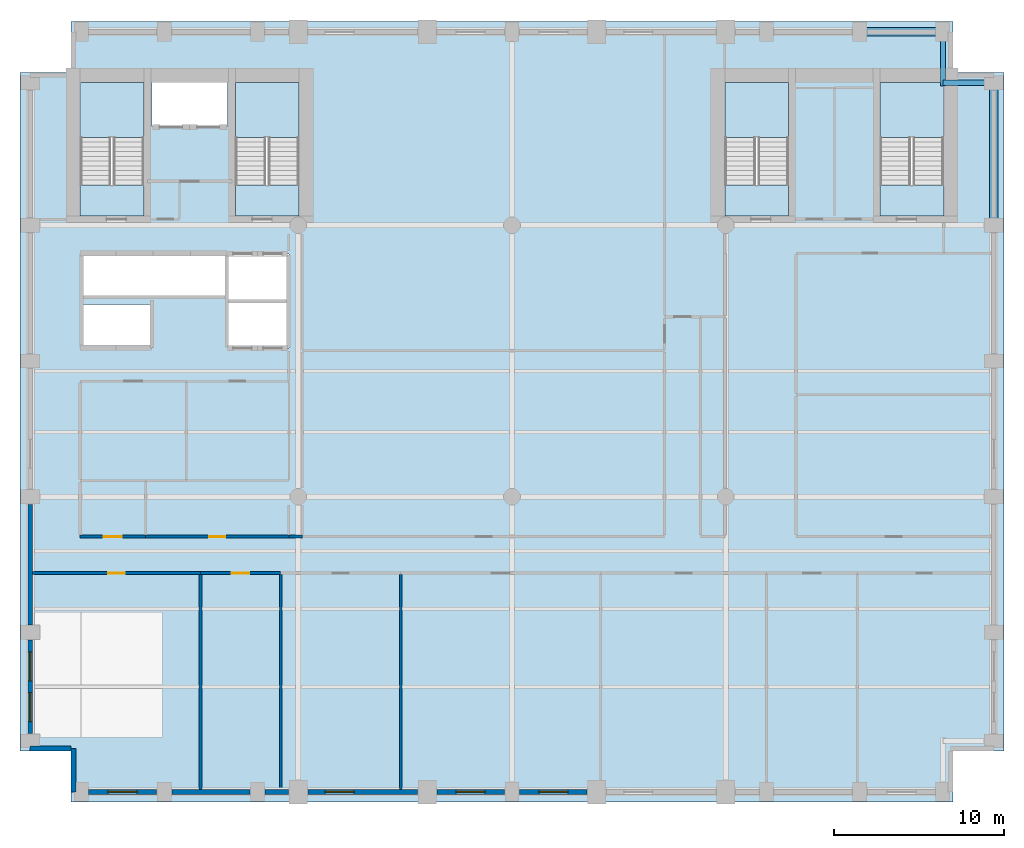
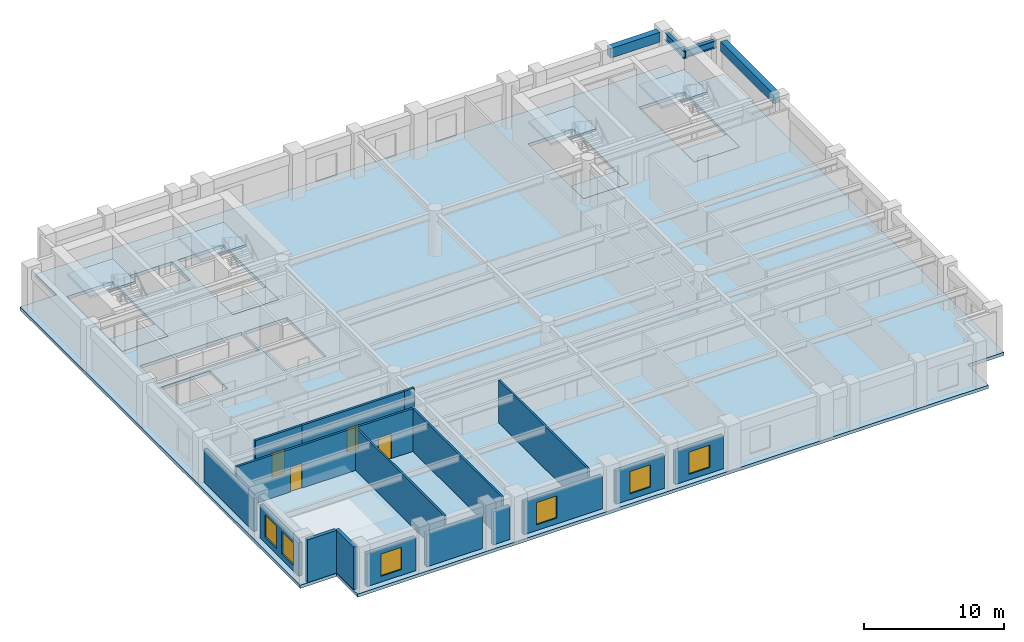
# One storey, part 2 of 9: 18 walls, 9 slabs, 6 windows, 4 beams, 4 doors, 10 openings, 4 elements without a shape of their own.
"""IFC4 building model written with IfcOpenShell, lengths in metres."""

from ifc_helpers import new_model, si_unit, direction, frame, frame_2d, origin, origin_2d, place, context, subcontext, project, spatial, polyline, rectangle, i_section, outline, extrude, material, layer, layer_set, material_profile, profile_set, type_object, element, fill, aggregate, save


model = new_model("IFC4")

# Units and contexts
model_context = context("Model", 3, precision=1e-05, world=origin(), true_north=direction((0.0, 1.0)))
body_context = subcontext(model_context, "Body", "Model", "MODEL_VIEW")
ifc_project = project(units=[si_unit("LENGTHUNIT", "METRE"), si_unit("AREAUNIT", "SQUARE_METRE"), si_unit("VOLUMEUNIT", "CUBIC_METRE"), si_unit("PLANEANGLEUNIT", "RADIAN"), si_unit("MASSUNIT", "GRAM", prefix="KILO")], contexts=[model_context])

# Site, building, storey
site_placement = place(None, origin())
site = spatial("IfcSite", under=ifc_project, at=site_placement, CompositionType="ELEMENT")
building_placement = place(site_placement, origin())
building = spatial("IfcBuilding", under=site, at=building_placement, Name="Sulina Concourse Tower", CompositionType="ELEMENT")
storey_placement = place(building_placement, frame((0.0, 0.0, 120.60009765625)))
storey = spatial("IfcBuildingStorey", under=building, at=storey_placement, Name="L29", CompositionType="ELEMENT", Elevation=120.60009765625)

# Beams
ifc_material_1 = material(Name="Steel S355", Category="steel")
ifc_material_profile_1 = material_profile(ifc_material_1, i_section(OverallWidth=0.300048828125, OverallDepth=0.64990234375, WebThickness=0.01611328125, FlangeThickness=0.031005859375, at=origin_2d()), Name="HE 650 B")
ifc_profile_set_1 = profile_set([ifc_material_profile_1], Name="Steel S355")
beam_type_1 = type_object("IfcBeamType", Name="Floor Primary Girder Zone 2 HE650B", PredefinedType="BEAM", material=ifc_profile_set_1)
beam_1_placement = place(storey_placement, frame((54.39990234375, 42.39990234375, 3.39990234375), z_axis=(1.0, 0.0, 0.0), x_axis=(0.0, 1.0, 0.0)))
element("IfcBeam", 1, at=beam_1_placement, inside=storey, type_object=beam_type_1, Name="TIE-NE-L29", PredefinedType="BEAM", context=body_context, shape_type="SweptSolid", body=[
    extrude(i_section(OverallWidth=0.300048828125, OverallDepth=0.64990234375, WebThickness=0.01611328125, FlangeThickness=0.031005859375, at=origin_2d()), origin(), (0.0, 0.0, 1.0), 2.59521484375),
])
beam_2_placement = place(storey_placement, frame((54.39990234375, 42.199951171875, 3.39990234375), z_axis=(0.0, 1.0, 0.0), x_axis=(-1.0, 0.0, 0.0)))
element("IfcBeam", 2, at=beam_2_placement, inside=storey, type_object=beam_type_1, Name="TIE-NEN-L29", PredefinedType="BEAM", context=body_context, shape_type="SweptSolid", body=[
    extrude(i_section(OverallWidth=0.300048828125, OverallDepth=0.64990234375, WebThickness=0.01611328125, FlangeThickness=0.031005859375, at=origin_2d()), origin(), (0.0, 0.0, 1.0), 2.795166015625),
])
ifc_material_2 = material(Name="Precast concrete C50/60", Category="concrete")
ifc_material_profile_2 = material_profile(ifc_material_2, rectangle(XDim=0.5, YDim=0.85009765625, at=origin_2d()), Name="RC 500x850")
ifc_profile_set_2 = profile_set([ifc_material_profile_2], Name="Precast concrete C50/60")
beam_type_2 = type_object("IfcBeamType", Name="Lower Precast Spandrel Edge Beam 500x850", PredefinedType="BEAM", material=ifc_profile_set_2)
beam_3_placement = place(storey_placement, frame((49.905029296875, 45.39990234375, 3.2998046875), z_axis=(1.0, 0.0, 0.0), x_axis=(0.0, 1.0, 0.0)))
element("IfcBeam", 3, at=beam_3_placement, inside=storey, type_object=beam_type_2, Name="SP-N10-L29", PredefinedType="BEAM", context=body_context, shape_type="SweptSolid", body=[
    extrude(rectangle(XDim=0.5, YDim=0.85009765625, at=origin_2d()), origin(), (0.0, 0.0, 1.0), 4.090087890625),
])
beam_4_placement = place(storey_placement, frame((57.39990234375, 34.405029296875, 3.2998046875), z_axis=(0.0, 1.0, 0.0), x_axis=(-1.0, 0.0, 0.0)))
element("IfcBeam", 4, at=beam_4_placement, inside=storey, type_object=beam_type_2, Name="SP-E5-L29", PredefinedType="BEAM", context=body_context, shape_type="SweptSolid", body=[
    extrude(rectangle(XDim=0.5, YDim=0.85009765625, at=origin_2d()), origin(), (0.0, 0.0, 1.0), 7.590087890625),
])

# Slabs
ifc_material_3 = material(Name="Concrete C50/60", Category="concrete")
ifc_layer_1 = layer(ifc_material_3, 0.27490234375)
ifc_layer_set_1 = layer_set([ifc_layer_1], Name="Concrete C50/60")
slab_type_1 = type_object("IfcSlabType", Name="Mid-Rise Composite Floor Slab 275mm", PredefinedType="FLOOR", material=ifc_layer_set_1)
slab_1_placement = place(storey_placement, frame((0.0, 0.0, -0.275146484375)))
element("IfcSlab", 5, at=slab_1_placement, inside=storey, type_object=slab_type_1, Name="L29 structural floor slab", PredefinedType="FLOOR", context=body_context, shape_type="SweptSolid", body=[
    extrude(outline(polyline([(3.0, 0.0), (55.0, 0.0), (55.0, 3.0), (58.0, 3.0), (58.0, 43.0), (55.0, 43.0), (55.0, 46.0), (3.0, 46.0), (3.0, 43.0), (0.0, 43.0), (0.0, 3.0), (3.0, 3.0), (3.0, 0.0)]), holes=[polyline([(7.31005859375, 34.550048828125), (7.31005859375, 42.429931640625), (3.550048828125, 42.429931640625), (3.550048828125, 34.550048828125), (7.31005859375, 34.550048828125)]), polyline([(16.449951171875, 34.550048828125), (16.449951171875, 42.429931640625), (12.68994140625, 42.429931640625), (12.68994140625, 34.550048828125), (16.449951171875, 34.550048828125)]), polyline([(45.31005859375, 34.550048828125), (45.31005859375, 42.429931640625), (41.550048828125, 42.429931640625), (41.550048828125, 34.550048828125), (45.31005859375, 34.550048828125)]), polyline([(54.449951171875, 34.550048828125), (54.449951171875, 42.429931640625), (50.68994140625, 42.429931640625), (50.68994140625, 34.550048828125), (54.449951171875, 34.550048828125)]), polyline([(7.780029296875, 39.830078125), (12.219970703125, 39.830078125), (12.219970703125, 42.449951171875), (7.780029296875, 42.449951171875), (7.780029296875, 39.830078125)]), polyline([(3.739990234375, 26.780029296875), (7.77001953125, 26.780029296875), (7.77001953125, 29.320068359375), (3.739990234375, 29.320068359375), (3.739990234375, 26.780029296875)]), polyline([(3.739990234375, 29.780029296875), (12.10009765625, 29.780029296875), (12.10009765625, 32.3701171875), (3.739990234375, 32.3701171875), (3.739990234375, 29.780029296875)]), polyline([(12.280029296875, 26.780029296875), (15.85009765625, 26.780029296875), (15.85009765625, 32.320068359375), (12.280029296875, 32.320068359375), (12.280029296875, 26.780029296875)])]), origin(), (0.0, 0.0, 1.0), 0.275146484375),
])
ifc_material_4 = material(Name="Concrete C50/60", Category="concrete")
ifc_layer_2 = layer(ifc_material_4, 0.199951171875)
ifc_layer_set_2 = layer_set([ifc_layer_2], Name="Concrete C50/60")
slab_type_2 = type_object("IfcSlabType", Name="Primary Core Stair Landing Slab 200mm", PredefinedType="LANDING", material=ifc_layer_set_2)
slab_2_placement = place(storey_placement, frame((0.0, 0.0, -0.2001953125)))
element("IfcSlab", 6, at=slab_2_placement, inside=storey, type_object=slab_type_2, Name="L29 ST-1 floor landing slab", PredefinedType="LANDING", context=body_context, shape_type="SweptSolid", body=[
    extrude(outline(polyline([(7.31005859375, 34.550048828125), (7.31005859375, 36.375), (3.550048828125, 36.375), (3.550048828125, 34.550048828125), (7.31005859375, 34.550048828125)])), origin(), (0.0, 0.0, 1.0), 0.2001953125),
])
slab_3_placement = place(storey_placement, frame((0.0, 0.0, -0.2001953125)))
element("IfcSlab", 7, at=slab_3_placement, inside=storey, type_object=slab_type_2, Name="L29 ST-2 floor landing slab", PredefinedType="LANDING", context=body_context, shape_type="SweptSolid", body=[
    extrude(outline(polyline([(16.449951171875, 34.550048828125), (16.449951171875, 36.375), (12.68994140625, 36.375), (12.68994140625, 34.550048828125), (16.449951171875, 34.550048828125)])), origin(), (0.0, 0.0, 1.0), 0.2001953125),
])
slab_4_placement = place(storey_placement, frame((0.0, 0.0, -0.2001953125)))
element("IfcSlab", 8, at=slab_4_placement, inside=storey, type_object=slab_type_2, Name="L29 ST-3 floor landing slab", PredefinedType="LANDING", context=body_context, shape_type="SweptSolid", body=[
    extrude(outline(polyline([(45.31005859375, 34.550048828125), (45.31005859375, 36.375), (41.550048828125, 36.375), (41.550048828125, 34.550048828125), (45.31005859375, 34.550048828125)])), origin(), (0.0, 0.0, 1.0), 0.2001953125),
])
slab_5_placement = place(storey_placement, frame((0.0, 0.0, -0.2001953125)))
element("IfcSlab", 9, at=slab_5_placement, inside=storey, type_object=slab_type_2, Name="L29 ST-4 floor landing slab", PredefinedType="LANDING", context=body_context, shape_type="SweptSolid", body=[
    extrude(outline(polyline([(54.449951171875, 34.550048828125), (54.449951171875, 36.375), (50.68994140625, 36.375), (50.68994140625, 34.550048828125), (54.449951171875, 34.550048828125)])), origin(), (0.0, 0.0, 1.0), 0.2001953125),
])

# Stair, slab
ifc_material_5 = material(Name="Concrete C50/60", Category="concrete")
stair_type_1 = type_object("IfcStairType", Name="Primary Core Dog-Leg Exit Stair 1800mm", PredefinedType="HALF_TURN_STAIR", material=ifc_material_5)
stair_1_placement = place(storey_placement, origin())
stair_1 = element("IfcStair", 10, at=stair_1_placement, inside=storey, type_object=stair_type_1, Name="L29 ST-1", PredefinedType="HALF_TURN_STAIR")
slab_6_placement = place(storey_placement, frame((0.0, 0.0, 1.7998046875)))
slab_6 = element("IfcSlab", 11, at=slab_6_placement, type_object=slab_type_2, Name="ST-1 landing 1", PredefinedType="LANDING", context=body_context, shape_type="SweptSolid", body=[
    extrude(outline(polyline([(7.304931640625, 39.175048828125), (7.304931640625, 42.425048828125), (3.554931640625, 42.425048828125), (3.554931640625, 39.175048828125), (7.304931640625, 39.175048828125)])), origin(), (0.0, 0.0, 1.0), 0.2001953125),
])
aggregate(stair_1, [slab_6])

stair_2_placement = place(storey_placement, origin())
stair_2 = element("IfcStair", 12, at=stair_2_placement, inside=storey, type_object=stair_type_1, Name="L29 ST-2", PredefinedType="HALF_TURN_STAIR")
slab_7_placement = place(storey_placement, frame((0.0, 0.0, 1.7998046875)))
slab_7 = element("IfcSlab", 13, at=slab_7_placement, type_object=slab_type_2, Name="ST-2 landing 1", PredefinedType="LANDING", context=body_context, shape_type="SweptSolid", body=[
    extrude(outline(polyline([(16.445068359375, 39.175048828125), (16.445068359375, 42.425048828125), (12.695068359375, 42.425048828125), (12.695068359375, 39.175048828125), (16.445068359375, 39.175048828125)])), origin(), (0.0, 0.0, 1.0), 0.2001953125),
])
aggregate(stair_2, [slab_7])

ifc_material_6 = material(Name="Concrete C50/60", Category="concrete")
stair_type_2 = type_object("IfcStairType", Name="Portal & Podium Core Exit Stair 1820mm", PredefinedType="HALF_TURN_STAIR", material=ifc_material_6)
stair_3_placement = place(storey_placement, origin())
stair_3 = element("IfcStair", 14, at=stair_3_placement, inside=storey, type_object=stair_type_2, Name="L29 ST-3", PredefinedType="HALF_TURN_STAIR")
slab_8_placement = place(storey_placement, frame((0.0, 0.0, 1.7998046875)))
slab_8 = element("IfcSlab", 15, at=slab_8_placement, type_object=slab_type_2, Name="ST-3 landing 1", PredefinedType="LANDING", context=body_context, shape_type="SweptSolid", body=[
    extrude(outline(polyline([(45.304931640625, 39.175048828125), (45.304931640625, 42.425048828125), (41.554931640625, 42.425048828125), (41.554931640625, 39.175048828125), (45.304931640625, 39.175048828125)])), origin(), (0.0, 0.0, 1.0), 0.2001953125),
])
aggregate(stair_3, [slab_8])

stair_4_placement = place(storey_placement, origin())
stair_4 = element("IfcStair", 16, at=stair_4_placement, inside=storey, type_object=stair_type_2, Name="L29 ST-4", PredefinedType="HALF_TURN_STAIR")
slab_9_placement = place(storey_placement, frame((0.0, 0.0, 1.7998046875)))
slab_9 = element("IfcSlab", 17, at=slab_9_placement, type_object=slab_type_2, Name="ST-4 landing 1", PredefinedType="LANDING", context=body_context, shape_type="SweptSolid", body=[
    extrude(outline(polyline([(54.445068359375, 39.175048828125), (54.445068359375, 42.425048828125), (50.695068359375, 42.425048828125), (50.695068359375, 39.175048828125), (54.445068359375, 39.175048828125)])), origin(), (0.0, 0.0, 1.0), 0.2001953125),
])
aggregate(stair_4, [slab_9])

# Walls
ifc_material_7 = material(Name="Gypsum board on steel stud", Category="steel")
ifc_layer_3 = layer(ifc_material_7, 0.14990234375)
ifc_layer_set_3 = layer_set([ifc_layer_3], Name="Gypsum board on steel stud")
wall_type_1 = type_object("IfcWallType", Name="Inter-Tenancy Acoustic Partition 150mm", PredefinedType="PARTITIONING", material=ifc_layer_set_3)
for number, where, z_axis, x_axis, name in (
    (18, (10.639892578125, 0.739990234375, 0.0), (0.0, 0.0, 1.0), (0.0, 1.0, 0.0), "L29 interior partition 034"),
    (19, (15.360107421875, 0.739990234375, 0.0), (0.0, 0.0, 1.0), (0.0, 1.0, 0.0), "L29 interior partition 035"),
    (20, (22.43994140625, 0.739990234375, 0.0), (0.0, 0.0, 1.0), (0.0, 1.0, 0.0), "L29 interior partition 043"),
):
    element("IfcWall", number, at=place(storey_placement, frame(where, z_axis=z_axis, x_axis=x_axis)), inside=storey, type_object=wall_type_1, Name=name, PredefinedType="PARTITIONING", context=body_context, shape_type="SweptSolid", body=[
        extrude(rectangle(XDim=12.669921875, YDim=0.14990234375, at=frame_2d((6.3349609375, 0.0))), origin(), (0.0, 0.0, 1.0), 3.724853515625),
    ])

# Wall, opening, door
ifc_material_8 = material(Name="Gypsum board on steel stud", Category="steel")
ifc_layer_4 = layer(ifc_material_8, 0.179931640625)
ifc_layer_set_4 = layer_set([ifc_layer_4], Name="Gypsum board on steel stud")
wall_type_2 = type_object("IfcWallType", Name="Protected Corridor & Riser Partition 180mm", PredefinedType="PARTITIONING", material=ifc_layer_set_4)
wall_1_placement = place(storey_placement, frame((0.739990234375, 13.5, 0.0), z_axis=(0.0, 0.0, 1.0), x_axis=(1.0, 0.0, 0.0)))
wall_1 = element("IfcWall", 21, at=wall_1_placement, inside=storey, type_object=wall_type_2, Name="L29 interior partition 001", PredefinedType="PARTITIONING", context=body_context, shape_type="SweptSolid", body=[
    extrude(rectangle(XDim=9.89990234375, YDim=0.179931640625, at=frame_2d((4.949951171875, 0.0))), origin(), (0.0, 0.0, 1.0), 3.724853515625),
])
opening_1_placement = place(wall_1_placement, frame((4.47509765625, 0.0, 0.0)))
opening_1 = element("IfcOpeningElement", 22, at=opening_1_placement, cuts=wall_1, Name="Opening DR-19", PredefinedType="OPENING", context=body_context, shape_type="SweptSolid", body=[
    extrude(rectangle(XDim=0.949951171875, YDim=2.14990234375, at=frame_2d((0.47509765625, 1.074951171875))), frame((0.0, 0.099853515625, 0.0), z_axis=(0.0, -1.0, 0.0), x_axis=(1.0, 0.0, 0.0)), (0.0, 0.0, 1.0), 0.199951171875),
])
ifc_material_9 = material(Name="Oak-veneered acoustic timber leaf", Category="wood")
ifc_layer_5 = layer(ifc_material_9, 0.050048828125)
ifc_layer_set_5 = layer_set([ifc_layer_5], Name="Oak-veneered acoustic timber leaf")
door_type_1 = type_object("IfcDoorType", Name="Cellular Office & Meeting Door 950x2150", OperationType="NOTDEFINED", PredefinedType="DOOR", material=ifc_layer_set_5)
door_1_placement = place(opening_1_placement, origin())
door_1 = element("IfcDoor", 23, at=door_1_placement, inside=storey, type_object=door_type_1, Name="L29 interior door L29-S01", OperationType="SINGLE_SWING_LEFT", OverallHeight=2.14990234375, OverallWidth=0.949951171875, PredefinedType="DOOR", context=body_context, shape_type="SweptSolid", body=[
    extrude(rectangle(XDim=0.949951171875, YDim=2.14990234375, at=frame_2d((0.47509765625, 1.074951171875))), frame((0.0, 0.02490234375, 0.0), z_axis=(0.0, -1.0, 0.0), x_axis=(1.0, 0.0, 0.0)), (0.0, 0.0, 1.0), 0.050048828125),
])
fill(opening_1, door_1)

wall_2_placement = place(storey_placement, frame((10.639892578125, 13.5, 0.0), z_axis=(0.0, 0.0, 1.0), x_axis=(1.0, 0.0, 0.0)))
wall_2 = element("IfcWall", 24, at=wall_2_placement, inside=storey, type_object=wall_type_2, Name="L29 interior partition 002", PredefinedType="PARTITIONING", context=body_context, shape_type="SweptSolid", body=[
    extrude(rectangle(XDim=4.72021484375, YDim=0.179931640625, at=frame_2d((2.360107421875, 0.0))), origin(), (0.0, 0.0, 1.0), 3.724853515625),
])
opening_2_placement = place(wall_2_placement, frame((1.8349609375, 0.0, 0.0)))
opening_2 = element("IfcOpeningElement", 25, at=opening_2_placement, cuts=wall_2, Name="Opening DR-37", PredefinedType="OPENING", context=body_context, shape_type="SweptSolid", body=[
    extrude(rectangle(XDim=1.050048828125, YDim=2.14990234375, at=frame_2d((0.52490234375, 1.074951171875))), frame((0.0, 0.099853515625, 0.0), z_axis=(0.0, -1.0, 0.0), x_axis=(1.0, 0.0, 0.0)), (0.0, 0.0, 1.0), 0.199951171875),
])
ifc_material_10 = material(Name="Oak-veneered fire door leaf")
ifc_layer_6 = layer(ifc_material_10, 0.050048828125)
ifc_layer_set_6 = layer_set([ifc_layer_6], Name="Oak-veneered fire door leaf")
door_type_2 = type_object("IfcDoorType", Name="Tenant Suite Entrance Fire Door 1050x2150", OperationType="NOTDEFINED", PredefinedType="DOOR", material=ifc_layer_set_6)
door_2_placement = place(opening_2_placement, origin())
door_2 = element("IfcDoor", 26, at=door_2_placement, inside=storey, type_object=door_type_2, Name="L29 interior door L29-S02A", OperationType="SINGLE_SWING_RIGHT", OverallHeight=2.14990234375, OverallWidth=1.050048828125, PredefinedType="DOOR", context=body_context, shape_type="SweptSolid", body=[
    extrude(rectangle(XDim=1.050048828125, YDim=2.14990234375, at=frame_2d((0.52490234375, 1.074951171875))), frame((0.0, 0.02490234375, 0.0), z_axis=(0.0, -1.0, 0.0), x_axis=(1.0, 0.0, 0.0)), (0.0, 0.0, 1.0), 0.050048828125),
])
fill(opening_2, door_2)

wall_3_placement = place(storey_placement, frame((3.550048828125, 15.64990234375, 0.0), z_axis=(0.0, 0.0, 1.0), x_axis=(1.0, 0.0, 0.0)))
wall_3 = element("IfcWall", 27, at=wall_3_placement, inside=storey, type_object=wall_type_2, Name="L29 interior partition 008", PredefinedType="PARTITIONING", context=body_context, shape_type="SweptSolid", body=[
    extrude(rectangle(XDim=3.849853515625, YDim=0.179931640625, at=frame_2d((1.9248046875, 0.0))), origin(), (0.0, 0.0, 1.0), 3.724853515625),
])
opening_3_placement = place(wall_3_placement, frame((1.39990234375, 0.0, 0.0)))
opening_3 = element("IfcOpeningElement", 28, at=opening_3_placement, cuts=wall_3, Name="Opening DR-37", PredefinedType="OPENING", context=body_context, shape_type="SweptSolid", body=[
    extrude(rectangle(XDim=1.050048828125, YDim=2.14990234375, at=frame_2d((0.52490234375, 1.074951171875))), frame((0.0, 0.099853515625, 0.0), z_axis=(0.0, -1.0, 0.0), x_axis=(1.0, 0.0, 0.0)), (0.0, 0.0, 1.0), 0.199951171875),
])
door_3_placement = place(opening_3_placement, origin())
door_3 = element("IfcDoor", 29, at=door_3_placement, inside=storey, type_object=door_type_2, Name="L29 interior door L29-WSB-1", OperationType="SINGLE_SWING_RIGHT", OverallHeight=2.14990234375, OverallWidth=1.050048828125, PredefinedType="DOOR", context=body_context, shape_type="SweptSolid", body=[
    extrude(rectangle(XDim=1.050048828125, YDim=2.14990234375, at=frame_2d((0.52490234375, 1.074951171875))), frame((0.0, 0.02490234375, 0.0), z_axis=(0.0, -1.0, 0.0), x_axis=(1.0, 0.0, 0.0)), (0.0, 0.0, 1.0), 0.050048828125),
])
fill(opening_3, door_3)

wall_4_placement = place(storey_placement, frame((7.39990234375, 15.64990234375, 0.0), z_axis=(0.0, 0.0, 1.0), x_axis=(1.0, 0.0, 0.0)))
wall_4 = element("IfcWall", 30, at=wall_4_placement, inside=storey, type_object=wall_type_2, Name="L29 interior partition 009", PredefinedType="PARTITIONING", context=body_context, shape_type="SweptSolid", body=[
    extrude(rectangle(XDim=8.4501953125, YDim=0.179931640625, at=frame_2d((4.22509765625, 0.0))), origin(), (0.0, 0.0, 1.0), 3.724853515625),
])
opening_4_placement = place(wall_4_placement, frame((3.75, 0.0, 0.0)))
opening_4 = element("IfcOpeningElement", 31, at=opening_4_placement, cuts=wall_4, Name="Opening DR-19", PredefinedType="OPENING", context=body_context, shape_type="SweptSolid", body=[
    extrude(rectangle(XDim=0.949951171875, YDim=2.14990234375, at=frame_2d((0.47509765625, 1.074951171875))), frame((0.0, 0.099853515625, 0.0), z_axis=(0.0, -1.0, 0.0), x_axis=(1.0, 0.0, 0.0)), (0.0, 0.0, 1.0), 0.199951171875),
])
door_4_placement = place(opening_4_placement, origin())
door_4 = element("IfcDoor", 32, at=door_4_placement, inside=storey, type_object=door_type_1, Name="L29 interior door L29-WSB-2", OperationType="SINGLE_SWING_LEFT", OverallHeight=2.14990234375, OverallWidth=0.949951171875, PredefinedType="DOOR", context=body_context, shape_type="SweptSolid", body=[
    extrude(rectangle(XDim=0.949951171875, YDim=2.14990234375, at=frame_2d((0.47509765625, 1.074951171875))), frame((0.0, 0.02490234375, 0.0), z_axis=(0.0, -1.0, 0.0), x_axis=(1.0, 0.0, 0.0)), (0.0, 0.0, 1.0), 0.050048828125),
])
fill(opening_4, door_4)

# Wall
wall_5_placement = place(storey_placement, frame((15.85009765625, 15.64990234375, 0.0), z_axis=(0.0, 0.0, 1.0), x_axis=(1.0, 0.0, 0.0)))
element("IfcWall", 33, at=wall_5_placement, inside=storey, type_object=wall_type_2, Name="L29 interior partition 010", PredefinedType="PARTITIONING", context=body_context, shape_type="SweptSolid", body=[
    extrude(rectangle(XDim=0.7998046875, YDim=0.179931640625, at=frame_2d((0.39990234375, 0.0))), origin(), (0.0, 0.0, 1.0), 3.724853515625),
])

# Wall, opening, window
ifc_material_11 = material(Name="Precast concrete C50/60", Category="concrete")
ifc_layer_7 = layer(ifc_material_11, 0.280029296875)
ifc_layer_set_7 = layer_set([ifc_layer_7], Name="Precast concrete C50/60")
wall_type_3 = type_object("IfcWallType", Name="Typical Precast Masonry-Frame Facade Wall 280mm", PredefinedType="SOLIDWALL", material=ifc_layer_set_7)
wall_6_placement = place(storey_placement, frame((8.054931640625, 0.60009765625, 0.0), z_axis=(0.0, 0.0, 1.0), x_axis=(-1.0, 0.0, 0.0)))
wall_6 = element("IfcWall", 34, at=wall_6_placement, inside=storey, type_object=wall_type_3, Name="L29 exterior precast wall S1", PredefinedType="SOLIDWALL", context=body_context, shape_type="SweptSolid", body=[
    extrude(rectangle(XDim=4.010009765625, YDim=0.280029296875, at=frame_2d((2.0048828125, 0.0))), origin(), (0.0, 0.0, 1.0), 2.875),
])
opening_5_placement = place(wall_6_placement, frame((1.155029296875, 0.0, 0.5)))
opening_5 = element("IfcOpeningElement", 35, at=opening_5_placement, cuts=wall_6, Name="Opening WN-66", PredefinedType="OPENING", context=body_context, shape_type="SweptSolid", body=[
    extrude(rectangle(XDim=1.699951171875, YDim=1.949951171875, at=frame_2d((0.85009765625, 0.97509765625))), frame((0.0, 0.14990234375, 0.0), z_axis=(0.0, -1.0, 0.0), x_axis=(1.0, 0.0, 0.0)), (0.0, 0.0, 1.0), 0.300048828125),
])
ifc_material_12 = material(Name="Low-E solar double glazing in bronze aluminium", Category="aluminium")
window_type = type_object("IfcWindowType", Name="Recessed Spandrel Window 1700x1950", PartitioningType="SINGLE_PANEL", PredefinedType="WINDOW", material=ifc_material_12)
window_1_placement = place(opening_5_placement, origin())
window_1 = element("IfcWindow", 36, at=window_1_placement, inside=storey, type_object=window_type, Name="L29 punched window S1-1", OverallHeight=1.949951171875, OverallWidth=1.699951171875, PartitioningType="SINGLE_PANEL", PredefinedType="WINDOW", context=body_context, shape_type="SweptSolid", body=[
    extrude(rectangle(XDim=1.699951171875, YDim=1.949951171875, at=frame_2d((0.85009765625, 0.97509765625))), frame((0.0, 0.030029296875, 0.0), z_axis=(0.0, -1.0, 0.0), x_axis=(1.0, 0.0, 0.0)), (0.0, 0.0, 1.0), 0.06005859375),
])
fill(opening_5, window_1)

# Walls
wall_7_placement = place(storey_placement, frame((13.554931640625, 0.60009765625, 0.0), z_axis=(0.0, 0.0, 1.0), x_axis=(-1.0, 0.0, 0.0)))
element("IfcWall", 37, at=wall_7_placement, inside=storey, type_object=wall_type_3, Name="L29 exterior precast wall S2", PredefinedType="SOLIDWALL", context=body_context, shape_type="SweptSolid", body=[
    extrude(rectangle(XDim=4.60986328125, YDim=0.280029296875, at=frame_2d((2.304931640625, 0.0))), origin(), (0.0, 0.0, 1.0), 2.875),
])
wall_8_placement = place(storey_placement, frame((15.830078125, 0.60009765625, 0.0), z_axis=(0.0, 0.0, 1.0), x_axis=(-1.0, 0.0, 0.0)))
element("IfcWall", 38, at=wall_8_placement, inside=storey, type_object=wall_type_3, Name="L29 exterior precast wall S3", PredefinedType="SOLIDWALL", context=body_context, shape_type="SweptSolid", body=[
    extrude(rectangle(XDim=1.385009765625, YDim=0.280029296875, at=frame_2d((0.6923828125, 0.0))), origin(), (0.0, 0.0, 1.0), 2.875),
])

# Wall, opening, window
wall_9_placement = place(storey_placement, frame((23.429931640625, 0.60009765625, 0.0), z_axis=(0.0, 0.0, 1.0), x_axis=(-1.0, 0.0, 0.0)))
wall_9 = element("IfcWall", 39, at=wall_9_placement, inside=storey, type_object=wall_type_3, Name="L29 exterior precast wall S4", PredefinedType="SOLIDWALL", context=body_context, shape_type="SweptSolid", body=[
    extrude(rectangle(XDim=6.4599609375, YDim=0.280029296875, at=frame_2d((3.22998046875, 0.0))), origin(), (0.0, 0.0, 1.0), 2.875),
])
opening_6_placement = place(wall_9_placement, frame((3.739990234375, 0.0, 0.5)))
opening_6 = element("IfcOpeningElement", 40, at=opening_6_placement, cuts=wall_9, Name="Opening WN-66", PredefinedType="OPENING", context=body_context, shape_type="SweptSolid", body=[
    extrude(rectangle(XDim=1.699951171875, YDim=1.949951171875, at=frame_2d((0.85009765625, 0.97509765625))), frame((0.0, 0.14990234375, 0.0), z_axis=(0.0, -1.0, 0.0), x_axis=(1.0, 0.0, 0.0)), (0.0, 0.0, 1.0), 0.300048828125),
])
window_2_placement = place(opening_6_placement, origin())
window_2 = element("IfcWindow", 41, at=window_2_placement, inside=storey, type_object=window_type, Name="L29 punched window S4-1", OverallHeight=1.949951171875, OverallWidth=1.699951171875, PartitioningType="SINGLE_PANEL", PredefinedType="WINDOW", context=body_context, shape_type="SweptSolid", body=[
    extrude(rectangle(XDim=1.699951171875, YDim=1.949951171875, at=frame_2d((0.85009765625, 0.97509765625))), frame((0.0, 0.030029296875, 0.0), z_axis=(0.0, -1.0, 0.0), x_axis=(1.0, 0.0, 0.0)), (0.0, 0.0, 1.0), 0.06005859375),
])
fill(opening_6, window_2)

wall_10_placement = place(storey_placement, frame((28.554931640625, 0.60009765625, 0.0), z_axis=(0.0, 0.0, 1.0), x_axis=(-1.0, 0.0, 0.0)))
wall_10 = element("IfcWall", 42, at=wall_10_placement, inside=storey, type_object=wall_type_3, Name="L29 exterior precast wall S5", PredefinedType="SOLIDWALL", context=body_context, shape_type="SweptSolid", body=[
    extrude(rectangle(XDim=3.98486328125, YDim=0.280029296875, at=frame_2d((1.992431640625, 0.0))), origin(), (0.0, 0.0, 1.0), 2.875),
])
opening_7_placement = place(wall_10_placement, frame((1.142578125, 0.0, 0.5)))
opening_7 = element("IfcOpeningElement", 43, at=opening_7_placement, cuts=wall_10, Name="Opening WN-66", PredefinedType="OPENING", context=body_context, shape_type="SweptSolid", body=[
    extrude(rectangle(XDim=1.699951171875, YDim=1.949951171875, at=frame_2d((0.85009765625, 0.97509765625))), frame((0.0, 0.14990234375, 0.0), z_axis=(0.0, -1.0, 0.0), x_axis=(1.0, 0.0, 0.0)), (0.0, 0.0, 1.0), 0.300048828125),
])
window_3_placement = place(opening_7_placement, origin())
window_3 = element("IfcWindow", 44, at=window_3_placement, inside=storey, type_object=window_type, Name="L29 punched window S5-1", OverallHeight=1.949951171875, OverallWidth=1.699951171875, PartitioningType="SINGLE_PANEL", PredefinedType="WINDOW", context=body_context, shape_type="SweptSolid", body=[
    extrude(rectangle(XDim=1.699951171875, YDim=1.949951171875, at=frame_2d((0.85009765625, 0.97509765625))), frame((0.0, 0.030029296875, 0.0), z_axis=(0.0, -1.0, 0.0), x_axis=(1.0, 0.0, 0.0)), (0.0, 0.0, 1.0), 0.06005859375),
])
fill(opening_7, window_3)

wall_11_placement = place(storey_placement, frame((33.429931640625, 0.60009765625, 0.0), z_axis=(0.0, 0.0, 1.0), x_axis=(-1.0, 0.0, 0.0)))
wall_11 = element("IfcWall", 45, at=wall_11_placement, inside=storey, type_object=wall_type_3, Name="L29 exterior precast wall S6", PredefinedType="SOLIDWALL", context=body_context, shape_type="SweptSolid", body=[
    extrude(rectangle(XDim=3.98486328125, YDim=0.280029296875, at=frame_2d((1.992431640625, 0.0))), origin(), (0.0, 0.0, 1.0), 2.875),
])
opening_8_placement = place(wall_11_placement, frame((1.142578125, 0.0, 0.5)))
opening_8 = element("IfcOpeningElement", 46, at=opening_8_placement, cuts=wall_11, Name="Opening WN-66", PredefinedType="OPENING", context=body_context, shape_type="SweptSolid", body=[
    extrude(rectangle(XDim=1.699951171875, YDim=1.949951171875, at=frame_2d((0.85009765625, 0.97509765625))), frame((0.0, 0.14990234375, 0.0), z_axis=(0.0, -1.0, 0.0), x_axis=(1.0, 0.0, 0.0)), (0.0, 0.0, 1.0), 0.300048828125),
])
window_4_placement = place(opening_8_placement, origin())
window_4 = element("IfcWindow", 47, at=window_4_placement, inside=storey, type_object=window_type, Name="L29 punched window S6-1", OverallHeight=1.949951171875, OverallWidth=1.699951171875, PartitioningType="SINGLE_PANEL", PredefinedType="WINDOW", context=body_context, shape_type="SweptSolid", body=[
    extrude(rectangle(XDim=1.699951171875, YDim=1.949951171875, at=frame_2d((0.85009765625, 0.97509765625))), frame((0.0, 0.030029296875, 0.0), z_axis=(0.0, -1.0, 0.0), x_axis=(1.0, 0.0, 0.0)), (0.0, 0.0, 1.0), 0.06005859375),
])
fill(opening_8, window_4)

# Wall, openings, windows
wall_12_placement = place(storey_placement, frame((0.60009765625, 4.044921875, 0.0), z_axis=(0.0, 0.0, 1.0), x_axis=(0.0, 1.0, 0.0)))
wall_12 = element("IfcWall", 48, at=wall_12_placement, inside=storey, type_object=wall_type_3, Name="L29 exterior precast wall W1", PredefinedType="SOLIDWALL", context=body_context, shape_type="SweptSolid", body=[
    extrude(rectangle(XDim=5.510009765625, YDim=0.280029296875, at=frame_2d((2.7548828125, 0.0))), origin(), (0.0, 0.0, 1.0), 2.875),
])
opening_9_placement = place(wall_12_placement, frame((0.703369140625, 0.0, 0.5)))
opening_9 = element("IfcOpeningElement", 49, at=opening_9_placement, cuts=wall_12, Name="Opening WN-66", PredefinedType="OPENING", context=body_context, shape_type="SweptSolid", body=[
    extrude(rectangle(XDim=1.699951171875, YDim=1.949951171875, at=frame_2d((0.85009765625, 0.97509765625))), frame((0.0, 0.14990234375, 0.0), z_axis=(0.0, -1.0, 0.0), x_axis=(1.0, 0.0, 0.0)), (0.0, 0.0, 1.0), 0.300048828125),
])
opening_10_placement = place(wall_12_placement, frame((3.106689453125, 0.0, 0.5)))
opening_10 = element("IfcOpeningElement", 50, at=opening_10_placement, cuts=wall_12, Name="Opening WN-66", PredefinedType="OPENING", context=body_context, shape_type="SweptSolid", body=[
    extrude(rectangle(XDim=1.699951171875, YDim=1.949951171875, at=frame_2d((0.85009765625, 0.97509765625))), frame((0.0, 0.14990234375, 0.0), z_axis=(0.0, -1.0, 0.0), x_axis=(1.0, 0.0, 0.0)), (0.0, 0.0, 1.0), 0.300048828125),
])
window_5_placement = place(opening_9_placement, origin())
window_5 = element("IfcWindow", 51, at=window_5_placement, inside=storey, type_object=window_type, Name="L29 punched window W1-1", OverallHeight=1.949951171875, OverallWidth=1.699951171875, PartitioningType="SINGLE_PANEL", PredefinedType="WINDOW", context=body_context, shape_type="SweptSolid", body=[
    extrude(rectangle(XDim=1.699951171875, YDim=1.949951171875, at=frame_2d((0.85009765625, 0.97509765625))), frame((0.0, 0.030029296875, 0.0), z_axis=(0.0, -1.0, 0.0), x_axis=(1.0, 0.0, 0.0)), (0.0, 0.0, 1.0), 0.06005859375),
])
fill(opening_9, window_5)
window_6_placement = place(opening_10_placement, origin())
window_6 = element("IfcWindow", 52, at=window_6_placement, inside=storey, type_object=window_type, Name="L29 punched window W1-2", OverallHeight=1.949951171875, OverallWidth=1.699951171875, PartitioningType="SINGLE_PANEL", PredefinedType="WINDOW", context=body_context, shape_type="SweptSolid", body=[
    extrude(rectangle(XDim=1.699951171875, YDim=1.949951171875, at=frame_2d((0.85009765625, 0.97509765625))), frame((0.0, 0.030029296875, 0.0), z_axis=(0.0, -1.0, 0.0), x_axis=(1.0, 0.0, 0.0)), (0.0, 0.0, 1.0), 0.06005859375),
])
fill(opening_10, window_6)

# Walls
wall_13_placement = place(storey_placement, frame((0.60009765625, 10.445068359375, 0.0), z_axis=(0.0, 0.0, 1.0), x_axis=(0.0, 1.0, 0.0)))
element("IfcWall", 53, at=wall_13_placement, inside=storey, type_object=wall_type_3, Name="L29 exterior precast wall W2", PredefinedType="SOLIDWALL", context=body_context, shape_type="SweptSolid", body=[
    extrude(rectangle(XDim=7.10986328125, YDim=0.280029296875, at=frame_2d((3.554931640625, 0.0))), origin(), (0.0, 0.0, 1.0), 2.875),
])
wall_14_placement = place(storey_placement, frame((3.155029296875, 0.60009765625, 0.0), z_axis=(0.0, 0.0, 1.0), x_axis=(0.0, 1.0, 0.0)))
element("IfcWall", 54, at=wall_14_placement, inside=storey, type_object=wall_type_3, Name="L29 exterior precast wall CSW1", PredefinedType="SOLIDWALL", context=body_context, shape_type="SweptSolid", body=[
    extrude(rectangle(XDim=2.554931640625, YDim=0.280029296875, at=frame_2d((1.27734375, 0.0))), origin(), (0.0, 0.0, 1.0), 3.724853515625),
])
wall_15_placement = place(storey_placement, frame((3.010009765625, 3.155029296875, 0.0), z_axis=(0.0, 0.0, 1.0), x_axis=(-1.0, 0.0, 0.0)))
element("IfcWall", 55, at=wall_15_placement, inside=storey, type_object=wall_type_3, Name="L29 exterior precast wall CSW2", PredefinedType="SOLIDWALL", context=body_context, shape_type="SweptSolid", body=[
    extrude(rectangle(XDim=2.409912109375, YDim=0.280029296875, at=frame_2d((1.205078125, 0.0))), origin(), (0.0, 0.0, 1.0), 3.724853515625),
])

save(model, "model.ifc")
